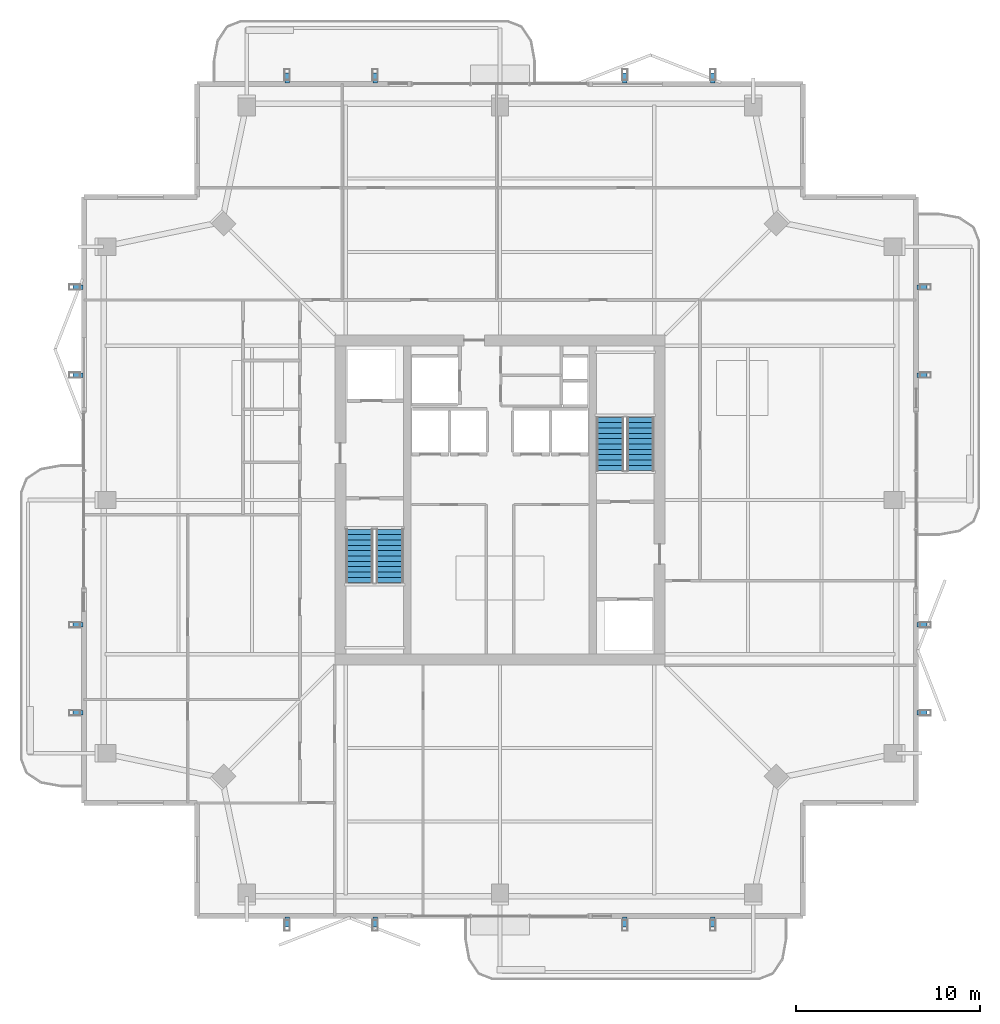
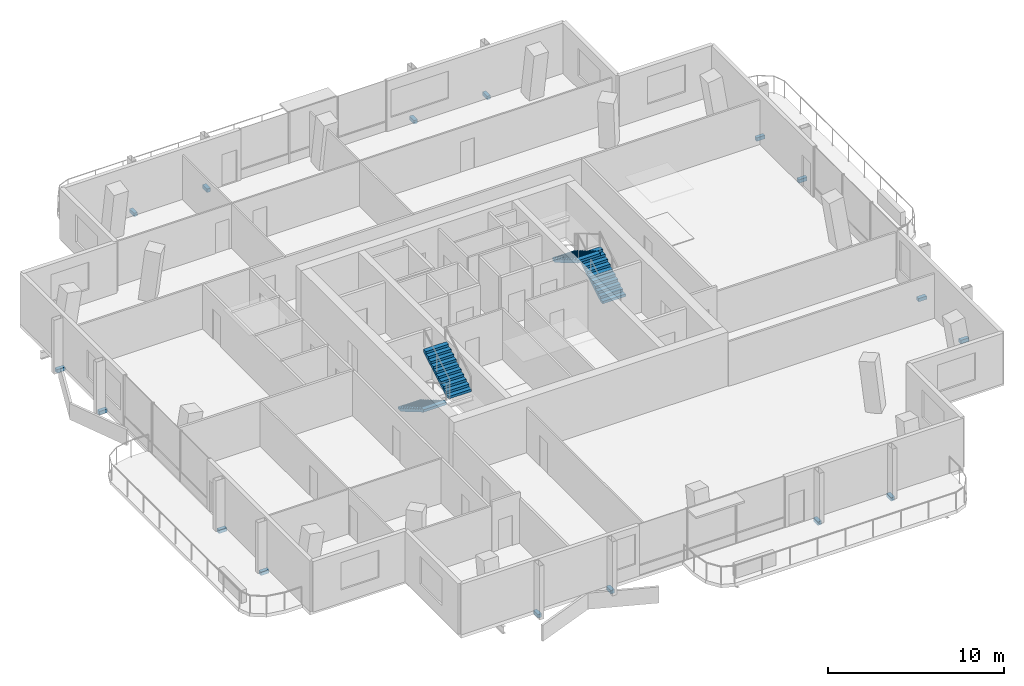
# One storey, part 17 of 20: 16 discrete accessories, 4 stair flights, 2 elements without a shape of their own.
"""IFC4 building model written with IfcOpenShell, lengths in metres."""

from ifc_helpers import new_model, si_unit, direction, frame, origin, origin_2d, place, context, subcontext, project, spatial, polyline, rectangle, outline, extrude, material, layer, layer_set, type_object, element, aggregate, save


model = new_model("IFC4")

# Units and contexts
model_context = context("Model", 3, precision=1e-05, world=origin(), true_north=direction((0.0, 1.0)))
body_context = subcontext(model_context, "Body", "Model", "MODEL_VIEW")
ifc_project = project(units=[si_unit("LENGTHUNIT", "METRE"), si_unit("AREAUNIT", "SQUARE_METRE"), si_unit("VOLUMEUNIT", "CUBIC_METRE"), si_unit("PLANEANGLEUNIT", "RADIAN"), si_unit("MASSUNIT", "GRAM", prefix="KILO")], contexts=[model_context])

# Site, building, storey
site_placement = place(None, origin())
site = spatial("IfcSite", under=ifc_project, at=site_placement, CompositionType="ELEMENT")
building_placement = place(site_placement, origin())
building = spatial("IfcBuilding", under=site, at=building_placement, Name="Belovzor Exchange Tower", CompositionType="ELEMENT")
storey_placement = place(building_placement, frame((0.0, 0.0, 329.25)))
storey = spatial("IfcBuildingStorey", under=building, at=storey_placement, Name="L82", CompositionType="ELEMENT", Elevation=329.25)

# Stair, stair flights
ifc_material_1 = material(Name="Concrete C40/50", Category="concrete")
stair_type = type_object("IfcStairType", Name="Reinforced Concrete Dogleg Escape Stair 1350", PredefinedType="HALF_TURN_STAIR", material=ifc_material_1)
stair_1_placement = place(storey_placement, origin())
stair_1 = element("IfcStair", 1, at=stair_1_placement, inside=storey, type_object=stair_type, Name="L82 ST-1", PredefinedType="HALF_TURN_STAIR")
ifc_material_2 = material(Name="Concrete C40/50", Category="concrete")
stair_flight_type = type_object("IfcStairFlightType", Name="Reinforced Concrete Stair Flight 1350", PredefinedType="STRAIGHT", material=ifc_material_2)
stair_flight_1_placement = place(storey_placement, frame((21.14990234375, 27.199951171875, 0.0), z_axis=(0.0, 0.0, 1.0), x_axis=(0.0, -1.0, 0.0)))
stair_flight_1 = element("IfcStairFlight", 2, at=stair_flight_1_placement, type_object=stair_flight_type, Name="ST-1 flight 1", NumberOfRisers=11, NumberOfTreads=10, PredefinedType="STRAIGHT", RiserHeight=0.170454545, TreadLength=0.29, context=body_context, shape_type="SweptSolid", body=[
    extrude(outline(polyline([(0.0, 0.0), (0.0, 0.17041015625), (0.2900390625, 0.17041015625), (0.2900390625, 0.3408203125), (0.580078125, 0.3408203125), (0.580078125, 0.511474609375), (0.8701171875, 0.511474609375), (0.8701171875, 0.681884765625), (1.159912109375, 0.681884765625), (1.159912109375, 0.852294921875), (1.449951171875, 0.852294921875), (1.449951171875, 1.022705078125), (1.739990234375, 1.022705078125), (1.739990234375, 1.193115234375), (2.030029296875, 1.193115234375), (2.030029296875, 1.363525390625), (2.320068359375, 1.363525390625), (2.320068359375, 1.5341796875), (2.610107421875, 1.5341796875), (2.610107421875, 1.70458984375), (2.89990234375, 1.70458984375), (2.89990234375, 1.875), (2.89990234375, 1.53076171875), (0.2958984375, 0.0), (0.0, 0.0)])), frame((0.0, 0.75, 0.0), z_axis=(0.0, -1.0, 0.0), x_axis=(1.0, 0.0, 0.0)), (0.0, 0.0, 1.0), 1.5),
])
stair_flight_2_placement = place(storey_placement, frame((22.800048828125, 24.300048828125, 1.875), z_axis=(0.0, 0.0, 1.0), x_axis=(0.0, 1.0, 0.0)))
stair_flight_2 = element("IfcStairFlight", 3, at=stair_flight_2_placement, type_object=stair_flight_type, Name="ST-1 flight 2", NumberOfRisers=11, NumberOfTreads=10, PredefinedType="STRAIGHT", RiserHeight=0.170454545, TreadLength=0.29, context=body_context, shape_type="SweptSolid", body=[
    extrude(outline(polyline([(0.0, 0.0), (0.0, 0.17041015625), (0.2900390625, 0.17041015625), (0.2900390625, 0.3408203125), (0.580078125, 0.3408203125), (0.580078125, 0.511474609375), (0.8701171875, 0.511474609375), (0.8701171875, 0.681884765625), (1.159912109375, 0.681884765625), (1.159912109375, 0.852294921875), (1.449951171875, 0.852294921875), (1.449951171875, 1.022705078125), (1.739990234375, 1.022705078125), (1.739990234375, 1.193115234375), (2.030029296875, 1.193115234375), (2.030029296875, 1.363525390625), (2.320068359375, 1.363525390625), (2.320068359375, 1.5341796875), (2.610107421875, 1.5341796875), (2.610107421875, 1.70458984375), (2.89990234375, 1.70458984375), (2.89990234375, 1.875), (2.89990234375, 1.53076171875), (0.2958984375, 0.0), (0.0, 0.0)])), frame((0.0, 0.75, 0.0), z_axis=(0.0, -1.0, 0.0), x_axis=(1.0, 0.0, 0.0)), (0.0, 0.0, 1.0), 1.5),
])
aggregate(stair_1, [stair_flight_1, stair_flight_2])

stair_2_placement = place(storey_placement, origin())
stair_2 = element("IfcStair", 4, at=stair_2_placement, inside=storey, type_object=stair_type, Name="L82 ST-2", PredefinedType="HALF_TURN_STAIR")
stair_flight_3_placement = place(storey_placement, frame((36.449951171875, 30.39990234375, 0.0), z_axis=(0.0, 0.0, 1.0), x_axis=(0.0, 1.0, 0.0)))
stair_flight_3 = element("IfcStairFlight", 5, at=stair_flight_3_placement, type_object=stair_flight_type, Name="ST-2 flight 1", NumberOfRisers=11, NumberOfTreads=10, PredefinedType="STRAIGHT", RiserHeight=0.170454545, TreadLength=0.29, context=body_context, shape_type="SweptSolid", body=[
    extrude(outline(polyline([(0.0, 0.0), (0.0, 0.17041015625), (0.2900390625, 0.17041015625), (0.2900390625, 0.3408203125), (0.580078125, 0.3408203125), (0.580078125, 0.511474609375), (0.8701171875, 0.511474609375), (0.8701171875, 0.681884765625), (1.159912109375, 0.681884765625), (1.159912109375, 0.852294921875), (1.449951171875, 0.852294921875), (1.449951171875, 1.022705078125), (1.739990234375, 1.022705078125), (1.739990234375, 1.193115234375), (2.030029296875, 1.193115234375), (2.030029296875, 1.363525390625), (2.320068359375, 1.363525390625), (2.320068359375, 1.5341796875), (2.610107421875, 1.5341796875), (2.610107421875, 1.70458984375), (2.89990234375, 1.70458984375), (2.89990234375, 1.875), (2.89990234375, 1.53076171875), (0.2958984375, 0.0), (0.0, 0.0)])), frame((0.0, 0.75, 0.0), z_axis=(0.0, -1.0, 0.0), x_axis=(1.0, 0.0, 0.0)), (0.0, 0.0, 1.0), 1.5),
])
stair_flight_4_placement = place(storey_placement, frame((34.800048828125, 33.300048828125, 1.875), z_axis=(0.0, 0.0, 1.0), x_axis=(0.0, -1.0, 0.0)))
stair_flight_4 = element("IfcStairFlight", 6, at=stair_flight_4_placement, type_object=stair_flight_type, Name="ST-2 flight 2", NumberOfRisers=11, NumberOfTreads=10, PredefinedType="STRAIGHT", RiserHeight=0.170454545, TreadLength=0.29, context=body_context, shape_type="SweptSolid", body=[
    extrude(outline(polyline([(0.0, 0.0), (0.0, 0.17041015625), (0.2900390625, 0.17041015625), (0.2900390625, 0.3408203125), (0.580078125, 0.3408203125), (0.580078125, 0.511474609375), (0.8701171875, 0.511474609375), (0.8701171875, 0.681884765625), (1.159912109375, 0.681884765625), (1.159912109375, 0.852294921875), (1.449951171875, 0.852294921875), (1.449951171875, 1.022705078125), (1.739990234375, 1.022705078125), (1.739990234375, 1.193115234375), (2.030029296875, 1.193115234375), (2.030029296875, 1.363525390625), (2.320068359375, 1.363525390625), (2.320068359375, 1.5341796875), (2.610107421875, 1.5341796875), (2.610107421875, 1.70458984375), (2.89990234375, 1.70458984375), (2.89990234375, 1.875), (2.89990234375, 1.53076171875), (0.2958984375, 0.0), (0.0, 0.0)])), frame((0.0, 0.75, 0.0), z_axis=(0.0, -1.0, 0.0), x_axis=(1.0, 0.0, 0.0)), (0.0, 0.0, 1.0), 1.5),
])
aggregate(stair_2, [stair_flight_3, stair_flight_4])

# Discrete accessories
ifc_material_3 = material(Name="Stainless Steel Grade 316", Category="steel")
ifc_layer = layer(ifc_material_3, 0.179931640625)
ifc_layer_set = layer_set([ifc_layer], Name="Stainless Steel Grade 316")
discrete_accessory_type = type_object("IfcDiscreteAccessoryType", Name="Stainless Steel Facade Outrigger Fixing Bracket", PredefinedType="BRACKET", material=ifc_layer_set)
for number, where, z_axis, x_axis, name in (
    (7, (17.199951171875, 5.81201171875, -0.240234375), (0.0, 0.0, 1.0), (0.0, 1.0, 0.0), "BRK-FIN1 Sweeping Fin Outrigger Bracket L82 S1"),
    (8, (17.199951171875, 51.7880859375, -0.240234375), (0.0, 0.0, 1.0), (0.0, 1.0, 0.0), "BRK-FIN1 Sweeping Fin Outrigger Bracket L82 N1"),
    (9, (5.81201171875, 17.199951171875, -0.240234375), (0.0, 0.0, 1.0), (1.0, 0.0, 0.0), "BRK-FIN1 Sweeping Fin Outrigger Bracket L82 W1"),
    (10, (51.7880859375, 17.199951171875, -0.240234375), (0.0, 0.0, 1.0), (1.0, 0.0, 0.0), "BRK-FIN1 Sweeping Fin Outrigger Bracket L82 E1"),
    (11, (22.0, 5.81201171875, -0.240234375), (0.0, 0.0, 1.0), (0.0, 1.0, 0.0), "BRK-FIN1 Sweeping Fin Outrigger Bracket L82 S2"),
    (12, (22.0, 51.7880859375, -0.240234375), (0.0, 0.0, 1.0), (0.0, 1.0, 0.0), "BRK-FIN1 Sweeping Fin Outrigger Bracket L82 N2"),
    (13, (5.81201171875, 22.0, -0.240234375), (0.0, 0.0, 1.0), (1.0, 0.0, 0.0), "BRK-FIN1 Sweeping Fin Outrigger Bracket L82 W2"),
    (14, (51.7880859375, 22.0, -0.240234375), (0.0, 0.0, 1.0), (1.0, 0.0, 0.0), "BRK-FIN1 Sweeping Fin Outrigger Bracket L82 E2"),
    (15, (35.60009765625, 5.81201171875, -0.240234375), (0.0, 0.0, 1.0), (0.0, 1.0, 0.0), "BRK-FIN1 Sweeping Fin Outrigger Bracket L82 S3"),
    (16, (35.60009765625, 51.7880859375, -0.240234375), (0.0, 0.0, 1.0), (0.0, 1.0, 0.0), "BRK-FIN1 Sweeping Fin Outrigger Bracket L82 N3"),
    (17, (5.81201171875, 35.60009765625, -0.240234375), (0.0, 0.0, 1.0), (1.0, 0.0, 0.0), "BRK-FIN1 Sweeping Fin Outrigger Bracket L82 W3"),
    (18, (51.7880859375, 35.60009765625, -0.240234375), (0.0, 0.0, 1.0), (1.0, 0.0, 0.0), "BRK-FIN1 Sweeping Fin Outrigger Bracket L82 E3"),
    (19, (40.39990234375, 5.81201171875, -0.240234375), (0.0, 0.0, 1.0), (0.0, 1.0, 0.0), "BRK-FIN1 Sweeping Fin Outrigger Bracket L82 S4"),
    (20, (40.39990234375, 51.7880859375, -0.240234375), (0.0, 0.0, 1.0), (0.0, 1.0, 0.0), "BRK-FIN1 Sweeping Fin Outrigger Bracket L82 N4"),
    (21, (5.81201171875, 40.39990234375, -0.240234375), (0.0, 0.0, 1.0), (1.0, 0.0, 0.0), "BRK-FIN1 Sweeping Fin Outrigger Bracket L82 W4"),
    (22, (51.7880859375, 40.39990234375, -0.240234375), (0.0, 0.0, 1.0), (1.0, 0.0, 0.0), "BRK-FIN1 Sweeping Fin Outrigger Bracket L82 E4"),
):
    element("IfcDiscreteAccessory", number, at=place(storey_placement, frame(where, z_axis=z_axis, x_axis=x_axis)), inside=storey, type_object=discrete_accessory_type, Name=name, PredefinedType="BRACKET", context=body_context, shape_type="SweptSolid", body=[
        extrude(rectangle(XDim=0.534912109375, YDim=0.239990234375, at=origin_2d()), origin(), (0.0, 0.0, 1.0), 0.239990234375),
    ])

save(model, "model.ifc")
